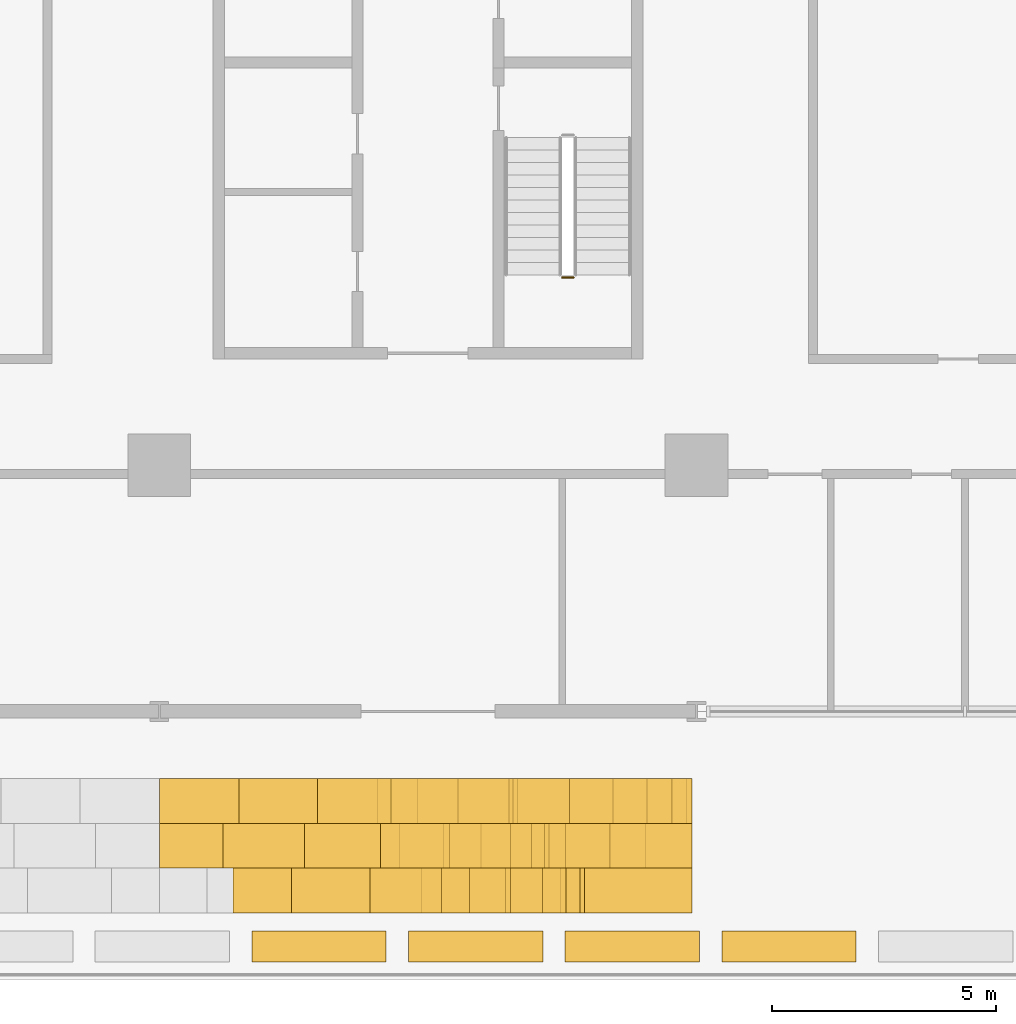
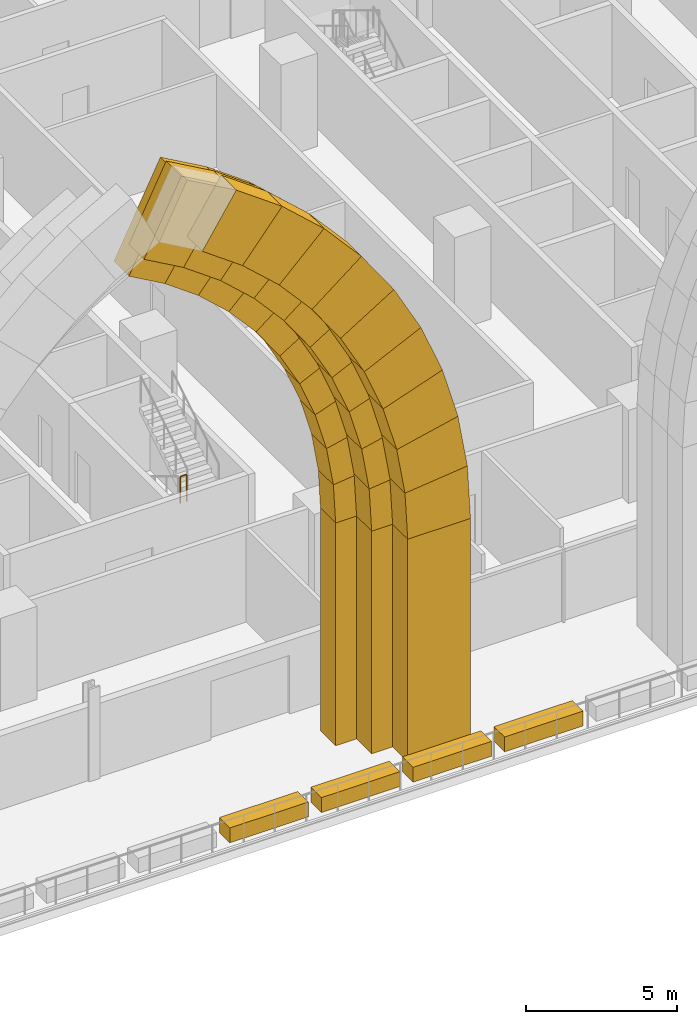
# One storey, part 23 of 31: 36 coverings, 1 railing.
"""IFC4 building model written with IfcOpenShell, lengths in metres."""

from ifc_helpers import new_model, si_unit, direction, frame, origin, origin_2d, place, context, subcontext, project, spatial, polyline, rectangle, circle, outline, extrude, material, layer, layer_set, type_object, element, save


model = new_model("IFC4")

# Units and contexts
model_context = context("Model", 3, precision=1e-05, world=origin(), true_north=direction((0.0, 1.0)))
body_context = subcontext(model_context, "Body", "Model", "MODEL_VIEW")
ifc_project = project(units=[si_unit("LENGTHUNIT", "METRE"), si_unit("AREAUNIT", "SQUARE_METRE"), si_unit("VOLUMEUNIT", "CUBIC_METRE"), si_unit("PLANEANGLEUNIT", "RADIAN"), si_unit("MASSUNIT", "GRAM", prefix="KILO")], contexts=[model_context])

# Site, building, storey
site_placement = place(None, origin())
site = spatial("IfcSite", under=ifc_project, at=site_placement, CompositionType="ELEMENT")
building_placement = place(site_placement, origin())
building = spatial("IfcBuilding", under=site, at=building_placement, Name="Mahtab Terrace Research Tower", CompositionType="ELEMENT")
storey_placement = place(building_placement, frame((0.0, 0.0, 84.800048828125)))
storey = spatial("IfcBuildingStorey", under=building, at=storey_placement, Name="L19", CompositionType="ELEMENT", Elevation=84.800048828125)

# Coverings
ifc_material_1 = material(Name="Glazed ceramic tile cladding", Category="masonry")
ifc_layer_1 = layer(ifc_material_1, 1.0)
ifc_layer_set_1 = layer_set([ifc_layer_1], Name="Iwan portal cladding arch course 800")
covering_type_1 = type_object("IfcCoveringType", Name="Iwan portal cladding arch course 800", PredefinedType="CLADDING", material=ifc_layer_set_1)
covering_1_placement = place(storey_placement, frame((1.89990234375, -18.5, 9.030029296875), z_axis=(0.0, 1.0, 0.0), x_axis=(-0.055684188301, 0.0, 0.998448431905)))
element("IfcCovering", 1, at=covering_1_placement, inside=storey, type_object=covering_type_1, Name="Iwan portal arch course 2.1.1E1", PredefinedType="CLADDING", context=body_context, shape_type="SweptSolid", body=[
    extrude(outline(polyline([(0.0, 0.0), (1.5783766932944783, 0.0), (1.7993999387119965, 3.9945795809983236), (-0.2227367532057247, 3.993793727619314), (0.0, 0.0)])), origin(), (0.0, 0.0, -1.0), 1.0),
])
covering_2_placement = place(storey_placement, frame((1.81201171875, -18.5, 10.60595703125), z_axis=(0.0, 1.0, 0.0), x_axis=(-0.165427776415, 0.0, 0.986221907478)))
element("IfcCovering", 2, at=covering_2_placement, inside=storey, type_object=covering_type_1, Name="Iwan portal arch course 2.1.1E2", PredefinedType="CLADDING", context=body_context, shape_type="SweptSolid", body=[
    extrude(outline(polyline([(0.0, 0.0), (1.5776451438837051, 0.0), (1.801133459660305, 3.9938543384771004), (-0.22074316519177417, 3.9945950682096365), (0.0, 0.0)])), origin(), (0.0, 0.0, -1.0), 1.0),
])
covering_3_placement = place(storey_placement, frame((1.551025390625, -18.5, 12.161865234375), z_axis=(0.0, 1.0, 0.0), x_axis=(-0.274516742164, 0.0, 0.96158232007)))
element("IfcCovering", 3, at=covering_3_placement, inside=storey, type_object=covering_type_1, Name="Iwan portal arch course 2.1.1E3", PredefinedType="CLADDING", context=body_context, shape_type="SweptSolid", body=[
    extrude(outline(polyline([(0.0, 0.0), (1.5777014740027837, 5.551115123125783e-17), (1.7976031549228964, 3.9948452381450585), (-0.2238710888977654, 3.993832900838084), (0.0, 0.0)])), origin(), (0.0, 0.0, -1.0), 1.0),
])
covering_4_placement = place(storey_placement, frame((1.117919921875, -18.5, 13.678955078125), z_axis=(0.0, 1.0, 0.0), x_axis=(-0.378235252048, 0.0, 0.92570950849)))
element("IfcCovering", 4, at=covering_4_placement, inside=storey, type_object=covering_type_1, Name="Iwan portal arch course 2.1.1E4", PredefinedType="CLADDING", context=body_context, shape_type="SweptSolid", body=[
    extrude(outline(polyline([(0.0, 0.0), (1.5781813696434432, 0.0), (1.8023579461050059, 3.9935336051676575), (-0.2191840336876989, 3.994884677356548), (0.0, 0.0)])), origin(), (0.0, 0.0, -1.0), 1.0),
])
covering_5_placement = place(storey_placement, frame((0.52099609375, -18.5, 15.139892578125), z_axis=(0.0, 1.0, 0.0), x_axis=(-0.479166466467, 0.0, 0.877724043999)))
element("IfcCovering", 5, at=covering_5_placement, inside=storey, type_object=covering_type_1, Name="Iwan portal arch course 2.1.1E5", PredefinedType="CLADDING", context=body_context, shape_type="SweptSolid", body=[
    extrude(outline(polyline([(0.0, 0.0), (1.577955822327451, 0.0), (1.7995652967701203, 3.9936900152677675), (-0.22283295257618718, 3.9936088026099394), (0.0, 0.0)])), origin(), (0.0, 0.0, -1.0), 1.0),
])
covering_6_placement = place(storey_placement, frame((-0.235107421875, -18.5, 16.52490234375), z_axis=(0.0, 1.0, 0.0), x_axis=(-0.573628543289, 0.0, 0.819115556148)))
element("IfcCovering", 6, at=covering_6_placement, inside=storey, type_object=covering_type_1, Name="Iwan portal arch course 2.1.1E6", PredefinedType="CLADDING", context=body_context, shape_type="SweptSolid", body=[
    extrude(outline(polyline([(0.0, 0.0), (1.57730149037252, 1.1102230246251565e-16), (1.7983598046917437, 3.9940405537330825), (-0.22303891134587728, 3.9936104393440615), (0.0, 0.0)])), origin(), (0.0, 0.0, -1.0), 1.0),
])
covering_7_placement = place(storey_placement, frame((-1.139892578125, -18.5, 17.81689453125), z_axis=(0.0, 1.0, 0.0), x_axis=(-0.660756864133, 0.0, 0.75060000433)))
element("IfcCovering", 7, at=covering_7_placement, inside=storey, type_object=covering_type_1, Name="Iwan portal arch course 2.1.1E7", PredefinedType="CLADDING", context=body_context, shape_type="SweptSolid", body=[
    extrude(outline(polyline([(0.0, 0.0), (1.5788150638332838, 0.0), (1.799684634864729, 3.9941271637243068), (-0.22232263746418468, 3.993970376463137), (0.0, 0.0)])), origin(), (0.0, 0.0, -1.0), 1.0),
])
covering_8_placement = place(storey_placement, frame((-2.18310546875, -18.5, 19.001953125), z_axis=(0.0, 1.0, 0.0), x_axis=(-0.739589914552, 0.0, 0.673057767427)))
element("IfcCovering", 8, at=covering_8_placement, inside=storey, type_object=covering_type_1, Name="Iwan portal arch course 2.1.1E8", PredefinedType="CLADDING", context=body_context, shape_type="SweptSolid", body=[
    extrude(outline(polyline([(0.0, 0.0), (1.5778908886384904, 0.0), (1.800936466805464, 3.993944873038375), (-0.22146696577805658, 3.9940940838289043), (0.0, 0.0)])), origin(), (0.0, 0.0, -1.0), 1.0),
])
covering_9_placement = place(storey_placement, frame((-3.35009765625, -18.5, 20.06396484375), z_axis=(0.0, 1.0, 0.0), x_axis=(-0.809731731913, 0.0, 0.58680024057)))
element("IfcCovering", 9, at=covering_9_placement, inside=storey, type_object=covering_type_1, Name="Iwan portal arch course 2.1.1E9", PredefinedType="CLADDING", context=body_context, shape_type="SweptSolid", body=[
    extrude(outline(polyline([(0.0, 0.0), (1.5780930657507766, -1.1102230246251565e-16), (1.7999847100075732, 3.993677750537623), (-0.22167948991877306, 3.994020929158823), (0.0, 0.0)])), origin(), (0.0, 0.0, -1.0), 1.0),
])
covering_10_placement = place(storey_placement, frame((-4.6279296875, -18.5, 20.989990234375), z_axis=(0.0, 1.0, 0.0), x_axis=(-0.869867232077, 0.0, 0.493285919685)))
element("IfcCovering", 10, at=covering_10_placement, inside=storey, type_object=covering_type_1, Name="Iwan portal arch course 2.1.1E10", PredefinedType="CLADDING", context=body_context, shape_type="SweptSolid", body=[
    extrude(outline(polyline([(0.0, 0.0), (1.5773330249771298, 0.0), (1.798571855484428, 3.994690507800268), (-0.22281410902325272, 3.9936263908571137), (0.0, 0.0)])), origin(), (0.0, 0.0, -1.0), 1.0),
])
covering_11_placement = place(storey_placement, frame((2.699951171875, -19.5, 9.030029296875), z_axis=(0.0, 1.0, 0.0), x_axis=(-0.055220988425, 0.0, 0.99847415712)))
element("IfcCovering", 11, at=covering_11_placement, inside=storey, type_object=covering_type_1, Name="Iwan portal arch course 2.1.2E1", PredefinedType="CLADDING", context=body_context, shape_type="SweptSolid", body=[
    extrude(outline(polyline([(0.0, 0.0), (1.737514455309777, 1.3877787807814457e-17), (1.91635431131978, 3.194681936929605), (-0.17670446662280095, 3.1950685491644366), (0.0, 0.0)])), origin(), (0.0, 0.0, -1.0), 1.0),
])
covering_12_placement = place(storey_placement, frame((2.60400390625, -19.5, 10.764892578125), z_axis=(0.0, 1.0, 0.0), x_axis=(-0.165742694417, 0.0, 0.986169031783)))
element("IfcCovering", 12, at=covering_12_placement, inside=storey, type_object=covering_type_1, Name="Iwan portal arch course 2.1.2E2", PredefinedType="CLADDING", context=body_context, shape_type="SweptSolid", body=[
    extrude(outline(polyline([(0.0, 0.0), (1.7381516483298303, 0.0), (1.915938608614602, 3.194747085227828), (-0.17697969301093763, 3.194785526526582), (0.0, 0.0)])), origin(), (0.0, 0.0, -1.0), 1.0),
])
covering_13_placement = place(storey_placement, frame((2.31591796875, -19.5, 12.47900390625), z_axis=(0.0, 1.0, 0.0), x_axis=(-0.274405640338, 0.0, 0.961614030966)))
element("IfcCovering", 13, at=covering_13_placement, inside=storey, type_object=covering_type_1, Name="Iwan portal arch course 2.1.2E3", PredefinedType="CLADDING", context=body_context, shape_type="SweptSolid", body=[
    extrude(outline(polyline([(0.0, 0.0), (1.7375978133572911, 1.1102230246251565e-16), (1.913800904533251, 3.1949168838851634), (-0.17866748014850353, 3.194697962774632), (0.0, 0.0)])), origin(), (0.0, 0.0, -1.0), 1.0),
])
covering_14_placement = place(storey_placement, frame((1.839111328125, -19.5, 14.14990234375), z_axis=(0.0, 1.0, 0.0), x_axis=(-0.378791494719, 0.0, 0.925482038469)))
element("IfcCovering", 14, at=covering_14_placement, inside=storey, type_object=covering_type_1, Name="Iwan portal arch course 2.1.2E4", PredefinedType="CLADDING", context=body_context, shape_type="SweptSolid", body=[
    extrude(outline(polyline([(0.0, 0.0), (1.7376396623918584, 0.0), (1.9154182576498695, 3.195607927161138), (-0.17725120086591906, 3.1948589070671076), (0.0, 0.0)])), origin(), (0.0, 0.0, -1.0), 1.0),
])
covering_15_placement = place(storey_placement, frame((1.180908203125, -19.5, 15.758056640625), z_axis=(0.0, 1.0, 0.0), x_axis=(-0.479166962321, 0.0, 0.877723773302)))
element("IfcCovering", 15, at=covering_15_placement, inside=storey, type_object=covering_type_1, Name="Iwan portal arch course 2.1.2E5", PredefinedType="CLADDING", context=body_context, shape_type="SweptSolid", body=[
    extrude(outline(polyline([(0.0, 0.0), (1.7384500143014558, 0.0), (1.9148860700248238, 3.195489581035992), (-0.1779878439256981, 3.195596279332184), (0.0, 0.0)])), origin(), (0.0, 0.0, -1.0), 1.0),
])
covering_16_placement = place(storey_placement, frame((0.347900390625, -19.5, 17.283935546875), z_axis=(0.0, 1.0, 0.0), x_axis=(-0.573339702667, 0.0, 0.81931775603)))
element("IfcCovering", 16, at=covering_16_placement, inside=storey, type_object=covering_type_1, Name="Iwan portal arch course 2.1.2E6", PredefinedType="CLADDING", context=body_context, shape_type="SweptSolid", body=[
    extrude(outline(polyline([(0.0, 0.0), (1.736927697040144, 0.0), (1.9151129566521372, 3.1953778678943223), (-0.1782086288997078, 3.1953912168707115), (0.0, 0.0)])), origin(), (0.0, 0.0, -1.0), 1.0),
])
covering_17_placement = place(storey_placement, frame((-0.64794921875, -19.5, 18.70703125), z_axis=(0.0, 1.0, 0.0), x_axis=(-0.660501219664, 0.0, 0.750824972162)))
element("IfcCovering", 17, at=covering_17_placement, inside=storey, type_object=covering_type_1, Name="Iwan portal arch course 2.1.2E7", PredefinedType="CLADDING", context=body_context, shape_type="SweptSolid", body=[
    extrude(outline(polyline([(0.0, 0.0), (1.7379971218425505, 0.0), (1.9161634850791907, 3.1947325255965633), (-0.17658231059182783, 3.1954668505490567), (0.0, 0.0)])), origin(), (0.0, 0.0, -1.0), 1.0),
])
covering_18_placement = place(storey_placement, frame((-1.7958984375, -19.5, 20.011962890625), z_axis=(0.0, 1.0, 0.0), x_axis=(-0.73976199751, 0.0, 0.672868625395)))
element("IfcCovering", 18, at=covering_18_placement, inside=storey, type_object=covering_type_1, Name="Iwan portal arch course 2.1.2E8", PredefinedType="CLADDING", context=body_context, shape_type="SweptSolid", body=[
    extrude(outline(polyline([(0.0, 0.0), (1.7372563801954461, 0.0), (1.9152041627813758, 3.1948367515095843), (-0.1775539078937296, 3.194766622600974), (0.0, 0.0)])), origin(), (0.0, 0.0, -1.0), 1.0),
])
covering_19_placement = place(storey_placement, frame((-3.0810546875, -19.5, 21.180908203125), z_axis=(0.0, 1.0, 0.0), x_axis=(-0.809815591161, 0.0, 0.586684504919)))
element("IfcCovering", 19, at=covering_19_placement, inside=storey, type_object=covering_type_1, Name="Iwan portal arch course 2.1.2E9", PredefinedType="CLADDING", context=body_context, shape_type="SweptSolid", body=[
    extrude(outline(polyline([(0.0, 0.0), (1.73861679096164, 0.0), (1.9147898401624177, 3.1952459286315844), (-0.17743349047869716, 3.1948653553131328), (0.0, 0.0)])), origin(), (0.0, 0.0, -1.0), 1.0),
])
covering_20_placement = place(storey_placement, frame((-4.489013671875, -19.5, 22.200927734375), z_axis=(0.0, 1.0, 0.0), x_axis=(-0.869847304005, 0.0, 0.493321059469)))
element("IfcCovering", 20, at=covering_20_placement, inside=storey, type_object=covering_type_1, Name="Iwan portal arch course 2.1.2E10", PredefinedType="CLADDING", context=body_context, shape_type="SweptSolid", body=[
    extrude(outline(polyline([(0.0, 0.0), (1.7370707722709402, 0.0), (1.9144882470223714, 3.1955766380953947), (-0.17903126394941937, 3.1950870558139868), (0.0, 0.0)])), origin(), (0.0, 0.0, -1.0), 1.0),
])
covering_21_placement = place(storey_placement, frame((3.5, -20.5, 9.030029296875), z_axis=(0.0, 1.0, 0.0), x_axis=(-0.055313281483, 0.0, 0.99846904854)))
element("IfcCovering", 21, at=covering_21_placement, inside=storey, type_object=covering_type_1, Name="Iwan portal arch course 2.1.3E1", PredefinedType="CLADDING", context=body_context, shape_type="SweptSolid", body=[
    extrude(outline(polyline([(0.0, 0.0), (1.8979251625493403, 0.0), (2.0314645539192036, 2.396064526054309), (-0.13274647387185842, 2.3962282097520116), (0.0, 0.0)])), origin(), (0.0, 0.0, -1.0), 1.0),
])
covering_22_placement = place(storey_placement, frame((3.39501953125, -20.5, 10.925048828125), z_axis=(0.0, 1.0, 0.0), x_axis=(-0.166005611677, 0.0, 0.986124807969)))
element("IfcCovering", 22, at=covering_22_placement, inside=storey, type_object=covering_type_1, Name="Iwan portal arch course 2.1.3E2", PredefinedType="CLADDING", context=body_context, shape_type="SweptSolid", body=[
    extrude(outline(polyline([(0.0, 0.0), (1.8971732525706022, 0.0), (2.029332958351582, 2.396004589077959), (-0.13374484975421597, 2.3960530664464668), (0.0, 0.0)])), origin(), (0.0, 0.0, -1.0), 1.0),
])
covering_23_placement = place(storey_placement, frame((3.080078125, -20.5, 12.7958984375), z_axis=(0.0, 1.0, 0.0), x_axis=(-0.274041357069, 0.0, 0.961717908025)))
element("IfcCovering", 23, at=covering_23_placement, inside=storey, type_object=covering_type_1, Name="Iwan portal arch course 2.1.3E3", PredefinedType="CLADDING", context=body_context, shape_type="SweptSolid", body=[
    extrude(outline(polyline([(0.0, 0.0), (1.8975950813093414, -1.1102230246251565e-16), (2.0302776386235943, 2.395902950817636), (-0.13362126379945471, 2.3959235247760704), (0.0, 0.0)])), origin(), (0.0, 0.0, -1.0), 1.0),
])
covering_24_placement = place(storey_placement, frame((2.56005859375, -20.5, 14.620849609375), z_axis=(0.0, 1.0, 0.0), x_axis=(-0.378898344193, 0.0, 0.925438298736)))
element("IfcCovering", 24, at=covering_24_placement, inside=storey, type_object=covering_type_1, Name="Iwan portal arch course 2.1.3E4", PredefinedType="CLADDING", context=body_context, shape_type="SweptSolid", body=[
    extrude(outline(polyline([(0.0, 0.0), (1.8975911392719897, 0.0), (2.0306536960367896, 2.3960639763451295), (-0.1335641854651891, 2.3958539644797066), (0.0, 0.0)])), origin(), (0.0, 0.0, -1.0), 1.0),
])
covering_25_placement = place(storey_placement, frame((1.841064453125, -20.5, 16.376953125), z_axis=(0.0, 1.0, 0.0), x_axis=(-0.479248813648, 0.0, 0.877679084071)))
element("IfcCovering", 25, at=covering_25_placement, inside=storey, type_object=covering_type_1, Name="Iwan portal arch course 2.1.3E5", PredefinedType="CLADDING", context=body_context, shape_type="SweptSolid", body=[
    extrude(outline(polyline([(0.0, 0.0), (1.8970932459458805, 0.0), (2.0295767048638957, 2.396697883304174), (-0.13363615671618223, 2.396032053285128), (0.0, 0.0)])), origin(), (0.0, 0.0, -1.0), 1.0),
])
covering_26_placement = place(storey_placement, frame((0.931884765625, -20.5, 18.0419921875), z_axis=(0.0, 1.0, 0.0), x_axis=(-0.573263740495, 0.0, 0.819370907364)))
element("IfcCovering", 26, at=covering_26_placement, inside=storey, type_object=covering_type_1, Name="Iwan portal arch course 2.1.3E6", PredefinedType="CLADDING", context=body_context, shape_type="SweptSolid", body=[
    extrude(outline(polyline([(0.0, 0.0), (1.8977139982040618, 0.0), (2.031040033614506, 2.396221118842539), (-0.13306424426874752, 2.3966657083579213), (0.0, 0.0)])), origin(), (0.0, 0.0, -1.0), 1.0),
])
covering_27_placement = place(storey_placement, frame((-0.156005859375, -20.5, 19.596923828125), z_axis=(0.0, 1.0, 0.0), x_axis=(-0.660297182654, 0.0, 0.751004414487)))
element("IfcCovering", 27, at=covering_27_placement, inside=storey, type_object=covering_type_1, Name="Iwan portal arch course 2.1.3E7", PredefinedType="CLADDING", context=body_context, shape_type="SweptSolid", body=[
    extrude(outline(polyline([(0.0, 0.0), (1.8975239035014246, 0.0), (2.0316329789469614, 2.3961102091698607), (-0.13228420681972541, 2.396278859133747), (0.0, 0.0)])), origin(), (0.0, 0.0, -1.0), 1.0),
])
covering_28_placement = place(storey_placement, frame((-1.408935546875, -20.5, 21.02197265625), z_axis=(0.0, 1.0, 0.0), x_axis=(-0.74007980818, 0.0, 0.672519053651)))
element("IfcCovering", 28, at=covering_28_placement, inside=storey, type_object=covering_type_1, Name="Iwan portal arch course 2.1.3E8", PredefinedType="CLADDING", context=body_context, shape_type="SweptSolid", body=[
    extrude(outline(polyline([(0.0, 0.0), (1.8971639529359636, 0.0), (2.029673232205743, 2.396933512674399), (-0.13447398899097163, 2.3960897572690687), (0.0, 0.0)])), origin(), (0.0, 0.0, -1.0), 1.0),
])
covering_29_placement = place(storey_placement, frame((-2.81298828125, -20.5, 22.2978515625), z_axis=(0.0, 1.0, 0.0), x_axis=(-0.80970821756, 0.0, 0.586832686901)))
element("IfcCovering", 29, at=covering_29_placement, inside=storey, type_object=covering_type_1, Name="Iwan portal arch course 2.1.3E9", PredefinedType="CLADDING", context=body_context, shape_type="SweptSolid", body=[
    extrude(outline(polyline([(0.0, 0.0), (1.8983497285372133, 0.0), (2.030747571379975, 2.3963830208381642), (-0.13253916585722125, 2.3969318602722325), (0.0, 0.0)])), origin(), (0.0, 0.0, -1.0), 1.0),
])
ifc_layer_2 = layer(ifc_material_1, 1.0)
ifc_layer_set_2 = layer_set([ifc_layer_2], Name="Iwan portal cladding pilaster 900")
covering_type_2 = type_object("IfcCoveringType", Name="Iwan portal cladding pilaster 900", PredefinedType="CLADDING", material=ifc_layer_set_2)
covering_30_placement = place(storey_placement, frame((3.89990234375, -19.0, 0.030029296875), z_axis=(0.0, 0.0, 1.0), x_axis=(1.0, 0.0, 0.0)))
element("IfcCovering", 30, at=covering_30_placement, inside=storey, type_object=covering_type_2, Name="Iwan portal pilaster 2.1.1E", PredefinedType="CLADDING", context=body_context, shape_type="SweptSolid", body=[
    extrude(rectangle(XDim=4.0, YDim=1.0, at=origin_2d()), origin(), (0.0, 0.0, 1.0), 9.0),
])
covering_31_placement = place(storey_placement, frame((4.300048828125, -20.0, 0.030029296875), z_axis=(0.0, 0.0, 1.0), x_axis=(1.0, 0.0, 0.0)))
element("IfcCovering", 31, at=covering_31_placement, inside=storey, type_object=covering_type_2, Name="Iwan portal pilaster 2.1.2E", PredefinedType="CLADDING", context=body_context, shape_type="SweptSolid", body=[
    extrude(rectangle(XDim=3.199951171875, YDim=1.0, at=origin_2d()), origin(), (0.0, 0.0, 1.0), 9.0),
])
covering_32_placement = place(storey_placement, frame((4.699951171875, -21.0, 0.030029296875), z_axis=(0.0, 0.0, 1.0), x_axis=(1.0, 0.0, 0.0)))
element("IfcCovering", 32, at=covering_32_placement, inside=storey, type_object=covering_type_2, Name="Iwan portal pilaster 2.1.3E", PredefinedType="CLADDING", context=body_context, shape_type="SweptSolid", body=[
    extrude(rectangle(XDim=2.39990234375, YDim=1.0, at=origin_2d()), origin(), (0.0, 0.0, 1.0), 9.0),
])
ifc_material_2 = material(Name="Planting soil and shrubs")
ifc_layer_3 = layer(ifc_material_2, 0.1201171875)
ifc_layer_set_3 = layer_set([ifc_layer_3], Name="Planter")
covering_type_3 = type_object("IfcCoveringType", Name="Planter", PredefinedType="USERDEFINED", material=ifc_layer_set_3)
for number, where, z_axis, x_axis, name in (
    (33, (-2.43408203125, -22.25, 0.02978515625), (0.0, 0.0, 1.0), (1.0, 0.0, 0.0), "PLANTER terrace 2"),
    (34, (1.06591796875, -22.25, 0.02978515625), (0.0, 0.0, 1.0), (1.0, 0.0, 0.0), "PLANTER terrace 2"),
    (35, (4.56591796875, -22.25, 0.02978515625), (0.0, 0.0, 1.0), (1.0, 0.0, 0.0), "PLANTER terrace 2"),
    (36, (8.06591796875, -22.25, 0.02978515625), (0.0, 0.0, 1.0), (1.0, 0.0, 0.0), "PLANTER terrace 2"),
):
    element("IfcCovering", number, at=place(storey_placement, frame(where, z_axis=z_axis, x_axis=x_axis)), inside=storey, type_object=covering_type_3, Name=name, ObjectType="PLANTER", PredefinedType="USERDEFINED", context=body_context, shape_type="SweptSolid", body=[
        extrude(rectangle(XDim=3.0, YDim=0.699951171875, at=origin_2d()), origin(), (0.0, 0.0, 1.0), 0.60009765625),
    ])

# Railing
ifc_material_3 = material(Name="Stainless steel AISI 304", Category="steel")
railing_type = type_object("IfcRailingType", Name="Stair guard 1100", PredefinedType="GUARDRAIL", material=ifc_material_3)
railing_placement = place(storey_placement, frame((3.0, -7.304931640625, 2.050048828125)))
element("IfcRailing", 37, at=railing_placement, inside=storey, type_object=railing_type, Name="L19 ST2 stair guard 2", PredefinedType="GUARDRAIL", context=body_context, shape_type="SweptSolid", body=[
    extrude(circle(Radius=0.02392578125, at=origin_2d()), frame((0.0, 0.0, 1.076171875), z_axis=(1.0, 0.0, 0.0), x_axis=(0.0, 1.0, 0.0)), (0.0, 0.0, 1.0), 0.25),
    extrude(circle(Radius=0.02099609375, at=origin_2d()), origin(), (0.0, 0.0, 1.0), 1.052001953125),
    extrude(circle(Radius=0.02099609375, at=origin_2d()), frame((0.25, 0.0, 0.0)), (0.0, 0.0, 1.0), 1.052001953125),
])

save(model, "model.ifc")
